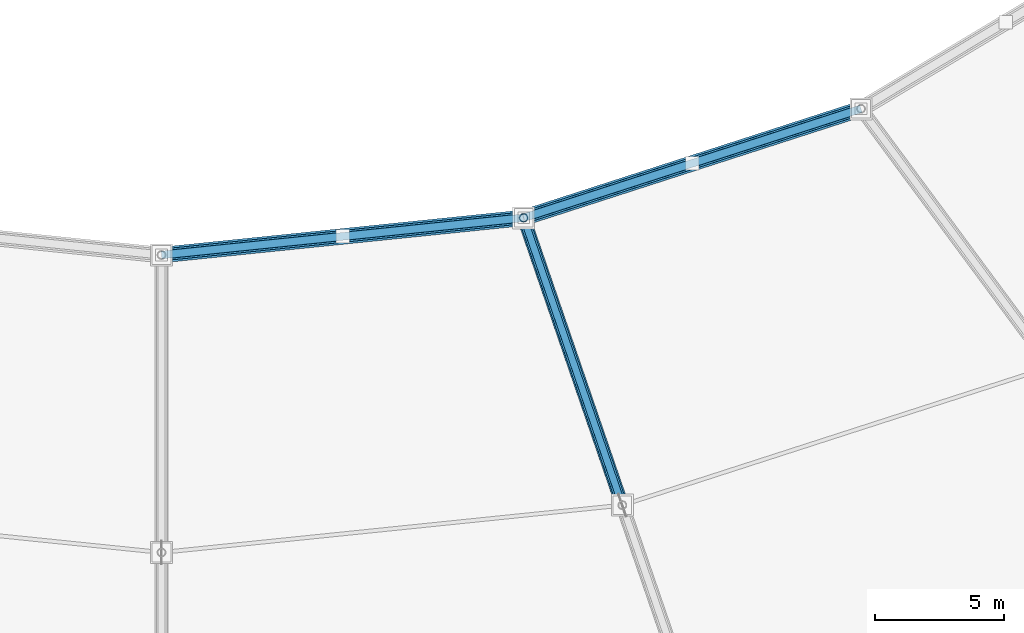
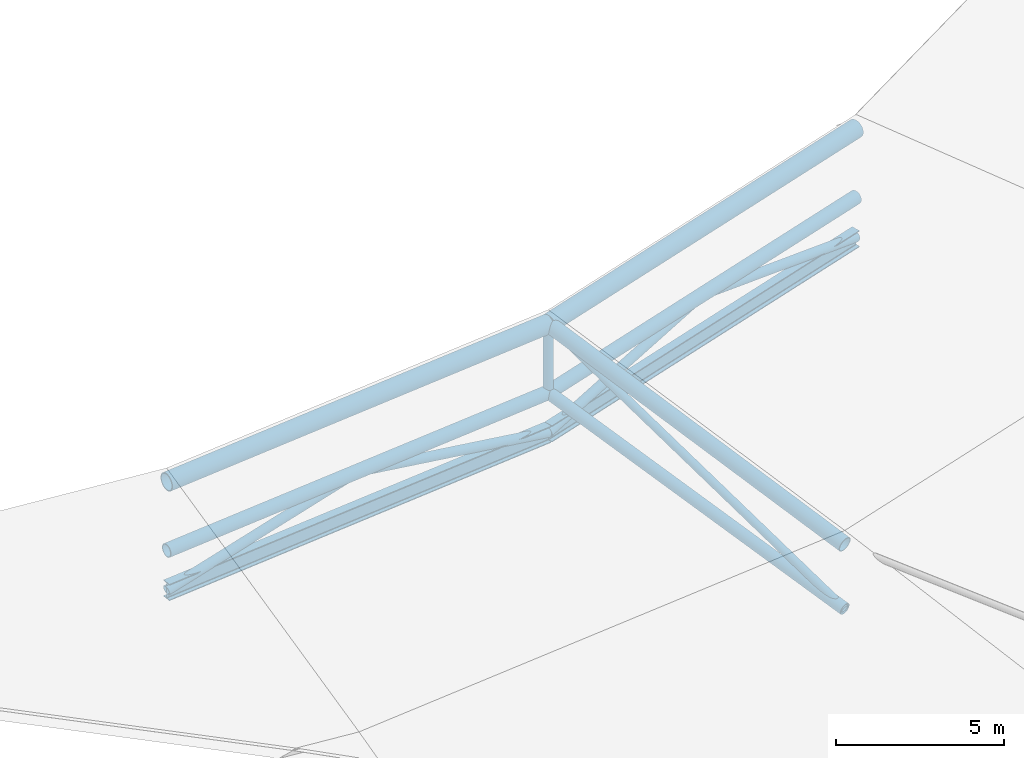
# One storey, part 21 of 115: 12 members, 2 beams.
"""IFC4 building model written with IfcOpenShell, lengths in metres."""

from ifc_helpers import new_model, si_unit, direction, frame, origin, origin_2d, place, context, subcontext, project, spatial, hollow_circle, i_section, extrude, material, material_profile, profile_set, type_object, element, save


model = new_model("IFC4")

# Units and contexts
model_context = context("Model", 3, precision=1e-05, world=origin(), true_north=direction((0.0, 1.0)))
body_context = subcontext(model_context, "Body", "Model", "MODEL_VIEW")
ifc_project = project(units=[si_unit("LENGTHUNIT", "METRE"), si_unit("AREAUNIT", "SQUARE_METRE"), si_unit("VOLUMEUNIT", "CUBIC_METRE"), si_unit("PLANEANGLEUNIT", "RADIAN"), si_unit("MASSUNIT", "GRAM", prefix="KILO")], contexts=[model_context])

# Site, building, storey
site_placement = place(None, origin())
site = spatial("IfcSite", under=ifc_project, at=site_placement, CompositionType="ELEMENT")
building_placement = place(site_placement, origin())
building = spatial("IfcBuilding", under=site, at=building_placement, Name="Zlatoyarsky Gate Stadium", CompositionType="ELEMENT")
storey_placement = place(building_placement, frame((0.0, 0.0, 31.800048828125)))
storey = spatial("IfcBuildingStorey", under=building, at=storey_placement, Name="RF", CompositionType="ELEMENT", Elevation=31.800048828125)

# Members
ifc_material = material(Name="Steel S355", Category="steel")
ifc_material_profile_1 = material_profile(ifc_material, hollow_circle(Radius=0.228515625, WallThickness=0.02490234375, at=origin_2d()), Name="CHS 457X25")
ifc_profile_set_1 = profile_set([ifc_material_profile_1], Name="Steel S355")
member_type_1 = type_object("IfcMemberType", Name="STEEL ARCH BOTTOM CHORD CHS 457X25", PredefinedType="CHORD", material=ifc_profile_set_1)
member_1_placement = place(storey_placement, frame((111.0, 37.864990234375, 6.449951171875), z_axis=(0.99476736864, 0.102165954647, 0.0), x_axis=(-0.102165954647, 0.99476736864, 0.0)))
element("IfcMember", 1, at=member_1_placement, inside=storey, type_object=member_type_1, Name="Inner tension ring bottom chord 18", PredefinedType="CHORD", context=body_context, shape_type="SweptSolid", body=[
    extrude(hollow_circle(Radius=0.228515625, WallThickness=0.02490234375, at=origin_2d()), origin(), (0.0, 0.0, 1.0), 14.053466796875),
])
member_2_placement = place(storey_placement, frame((124.97998046875, 39.30078125, 6.449951171875), z_axis=(0.951563800973, 0.307451350098, 0.0), x_axis=(-0.307451350098, 0.951563800973, 0.0)))
element("IfcMember", 2, at=member_2_placement, inside=storey, type_object=member_type_1, Name="Inner tension ring bottom chord 19", PredefinedType="CHORD", context=body_context, shape_type="SweptSolid", body=[
    extrude(hollow_circle(Radius=0.228515625, WallThickness=0.02490234375, at=origin_2d()), origin(), (0.0, 0.0, 1.0), 13.690673828125),
])
ifc_material_profile_2 = material_profile(ifc_material, hollow_circle(Radius=0.203125, WallThickness=0.02001953125, at=origin_2d()), Name="CHS 406.4X20")
ifc_profile_set_2 = profile_set([ifc_material_profile_2], Name="Steel S355")
member_type_2 = type_object("IfcMemberType", Name="STEEL ARCH INNER CHORD CHS 406.4X20", PredefinedType="CHORD", material=ifc_profile_set_2)
member_3_placement = place(storey_placement, frame((128.791015625, 28.20654296875, 3.949951171875), z_axis=(-0.317745051652, 0.924982103597, 0.208437497048), x_axis=(-0.945754959233, -0.32488083521, 0.0)))
element("IfcMember", 3, at=member_3_placement, inside=storey, type_object=member_type_2, Name="Radial truss R20 bottom chord 3", PredefinedType="CHORD", context=body_context, shape_type="SweptSolid", body=[
    extrude(hollow_circle(Radius=0.203125, WallThickness=0.02001953125, at=origin_2d()), origin(), (0.0, 0.0, 1.0), 11.993896484375),
])
ifc_material_profile_3 = material_profile(ifc_material, hollow_circle(Radius=0.25390625, WallThickness=0.02490234375, at=origin_2d()), Name="CHS 508X25")
ifc_profile_set_3 = profile_set([ifc_material_profile_3], Name="Steel S355")
member_type_3 = type_object("IfcMemberType", Name="STEEL ARCH TOP CHORD CHS 508X25", PredefinedType="CHORD", material=ifc_profile_set_3)
member_4_placement = place(storey_placement, frame((128.791015625, 28.20654296875, 6.300048828125), z_axis=(-0.316895901971, 0.922510158704, 0.220345171044), x_axis=(-0.945754959233, -0.32488083521, 0.0)))
element("IfcMember", 4, at=member_4_placement, inside=storey, type_object=member_type_3, Name="Radial truss R20 top chord 3", PredefinedType="CHORD", context=body_context, shape_type="SweptSolid", body=[
    extrude(hollow_circle(Radius=0.25390625, WallThickness=0.02490234375, at=origin_2d()), origin(), (0.0, 0.0, 1.0), 12.026123046875),
])

# Beams
ifc_material_profile_4 = material_profile(ifc_material, i_section(OverallWidth=0.300048828125, OverallDepth=0.60009765625, WebThickness=0.015380859375, FlangeThickness=0.030029296875, FilletRadius=0.027099609375, at=origin_2d()), Name="HEB 600")
ifc_profile_set_4 = profile_set([ifc_material_profile_4], Name="Steel S355")
beam_type = type_object("IfcBeamType", Name="STEEL INNER CATWALK RING BEAM HEB 600", PredefinedType="USERDEFINED", material=ifc_profile_set_4)
beam_1_placement = place(storey_placement, frame((111.0, 37.864990234375, 5.0), z_axis=(0.99476736864, 0.102165954647, 0.0), x_axis=(-0.102165954647, 0.99476736864, 0.0)))
element("IfcBeam", 5, at=beam_1_placement, inside=storey, type_object=beam_type, Name="Inner lighting catwalk ring beam 18", ObjectType="RING BEAM", PredefinedType="USERDEFINED", context=body_context, shape_type="SweptSolid", body=[
    extrude(i_section(OverallWidth=0.300048828125, OverallDepth=0.60009765625, WebThickness=0.015380859375, FlangeThickness=0.030029296875, FilletRadius=0.027099609375, at=origin_2d()), origin(), (0.0, 0.0, 1.0), 14.053466796875),
])
beam_2_placement = place(storey_placement, frame((124.97998046875, 39.30078125, 5.0), z_axis=(0.951563800973, 0.307451350098, 0.0), x_axis=(-0.307451350098, 0.951563800973, 0.0)))
element("IfcBeam", 6, at=beam_2_placement, inside=storey, type_object=beam_type, Name="Inner lighting catwalk ring beam 19", ObjectType="RING BEAM", PredefinedType="USERDEFINED", context=body_context, shape_type="SweptSolid", body=[
    extrude(i_section(OverallWidth=0.300048828125, OverallDepth=0.60009765625, WebThickness=0.015380859375, FlangeThickness=0.030029296875, FilletRadius=0.027099609375, at=origin_2d()), origin(), (0.0, 0.0, 1.0), 13.690673828125),
])

# Members
ifc_material_profile_5 = material_profile(ifc_material, hollow_circle(Radius=0.136474609375, WallThickness=0.01611328125, at=origin_2d()), Name="CHS 273X16")
ifc_profile_set_5 = profile_set([ifc_material_profile_5], Name="Steel S355")
member_type_4 = type_object("IfcMemberType", Name="STEEL ROOF TRUSS DIAGONAL CHS 273X16", PredefinedType="BRACE", material=ifc_profile_set_5)
member_5_placement = place(storey_placement, frame((128.791015625, 28.20654296875, 3.949951171875), z_axis=(-0.298864631367, 0.870019639883, 0.392104269724), x_axis=(-0.945754959233, -0.32488083521, 0.0)))
element("IfcMember", 7, at=member_5_placement, inside=storey, type_object=member_type_4, Name="Radial truss R20 web diagonal 3", PredefinedType="BRACE", context=body_context, shape_type="SweptSolid", body=[
    extrude(hollow_circle(Radius=0.136474609375, WallThickness=0.01611328125, at=origin_2d()), origin(), (0.0, 0.0, 1.0), 12.751708984375),
])
ifc_material_profile_6 = material_profile(ifc_material, hollow_circle(Radius=0.304931640625, WallThickness=0.030029296875, at=origin_2d()), Name="CHS 610X30")
ifc_profile_set_6 = profile_set([ifc_material_profile_6], Name="Steel S355")
member_type_5 = type_object("IfcMemberType", Name="STEEL TENSION RING CHORD CHS 610X30", PredefinedType="CHORD", material=ifc_profile_set_6)
member_6_placement = place(storey_placement, frame((111.0, 37.864990234375, 8.949951171875), z_axis=(0.99476736864, 0.102165954647, 0.0), x_axis=(-0.102165954647, 0.99476736864, 0.0)))
element("IfcMember", 8, at=member_6_placement, inside=storey, type_object=member_type_5, Name="Inner tension ring top chord 18", PredefinedType="CHORD", context=body_context, shape_type="SweptSolid", body=[
    extrude(hollow_circle(Radius=0.304931640625, WallThickness=0.030029296875, at=origin_2d()), origin(), (0.0, 0.0, 1.0), 14.053466796875),
])
member_7_placement = place(storey_placement, frame((124.97998046875, 39.30078125, 8.949951171875), z_axis=(0.951563800973, 0.307451350098, 0.0), x_axis=(-0.307451350098, 0.951563800973, 0.0)))
element("IfcMember", 9, at=member_7_placement, inside=storey, type_object=member_type_5, Name="Inner tension ring top chord 19", PredefinedType="CHORD", context=body_context, shape_type="SweptSolid", body=[
    extrude(hollow_circle(Radius=0.304931640625, WallThickness=0.030029296875, at=origin_2d()), origin(), (0.0, 0.0, 1.0), 13.690673828125),
])
ifc_material_profile_7 = material_profile(ifc_material, hollow_circle(Radius=0.161865234375, WallThickness=0.01611328125, at=origin_2d()), Name="CHS 323.9X16")
ifc_profile_set_7 = profile_set([ifc_material_profile_7], Name="Steel S355")
member_type_6 = type_object("IfcMemberType", Name="STEEL TRUSS WEB STRUT CHS 323.9X16", PredefinedType="STRUT", material=ifc_profile_set_7)
for number, where, z_axis, x_axis, name in (
    (10, (111.0, 37.864990234375, 5.0), (0.974240724945, 0.100074813037, 0.202089192325), (-0.10218314548, 0.994765602934, 0.0), "Catwalk V-hanger strut 18A"),
    (11, (124.97998046875, 39.30078125, 5.0), (-0.974244041973, -0.100041126171, 0.202089880384), (0.102148763722, -0.994769134056, 0.0), "Catwalk V-hanger strut 18B"),
):
    element("IfcMember", number, at=place(storey_placement, frame(where, z_axis=z_axis, x_axis=x_axis)), inside=storey, type_object=member_type_6, Name=name, PredefinedType="STRUT", context=body_context, shape_type="SweptSolid", body=[
        extrude(hollow_circle(Radius=0.161865234375, WallThickness=0.01611328125, at=origin_2d()), origin(), (0.0, 0.0, 1.0), 7.1748046875),
    ])
member_8_placement = place(storey_placement, frame((124.97998046875, 39.30078125, 6.449951171875), z_axis=(0.0, 0.0, 1.0), x_axis=(1.0, 0.0, 0.0)))
element("IfcMember", 12, at=member_8_placement, inside=storey, type_object=member_type_6, Name="Radial truss R20 web strut 3", PredefinedType="STRUT", context=body_context, shape_type="SweptSolid", body=[
    extrude(hollow_circle(Radius=0.161865234375, WallThickness=0.01611328125, at=origin_2d()), origin(), (0.0, 0.0, 1.0), 2.5),
])
member_9_placement = place(storey_placement, frame((124.97998046875, 39.30078125, 5.0), z_axis=(0.93090739616, 0.300789050721, 0.207213336299), x_axis=(-0.307462279666, 0.951560269548, 0.0)))
element("IfcMember", 13, at=member_9_placement, inside=storey, type_object=member_type_6, Name="Catwalk V-hanger strut 19A", PredefinedType="STRUT", context=body_context, shape_type="SweptSolid", body=[
    extrude(hollow_circle(Radius=0.161865234375, WallThickness=0.01611328125, at=origin_2d()), origin(), (0.0, 0.0, 1.0), 6.997314453125),
])
member_10_placement = place(storey_placement, frame((138.007568359375, 43.510009765625, 5.0), z_axis=(-0.930912510858, -0.300767085592, 0.207222241454), x_axis=(0.307440419999, -0.951567332432, 0.0)))
element("IfcMember", 14, at=member_10_placement, inside=storey, type_object=member_type_6, Name="Catwalk V-hanger strut 19B", PredefinedType="STRUT", context=body_context, shape_type="SweptSolid", body=[
    extrude(hollow_circle(Radius=0.161865234375, WallThickness=0.01611328125, at=origin_2d()), origin(), (0.0, 0.0, 1.0), 6.9970703125),
])

save(model, "model.ifc")
